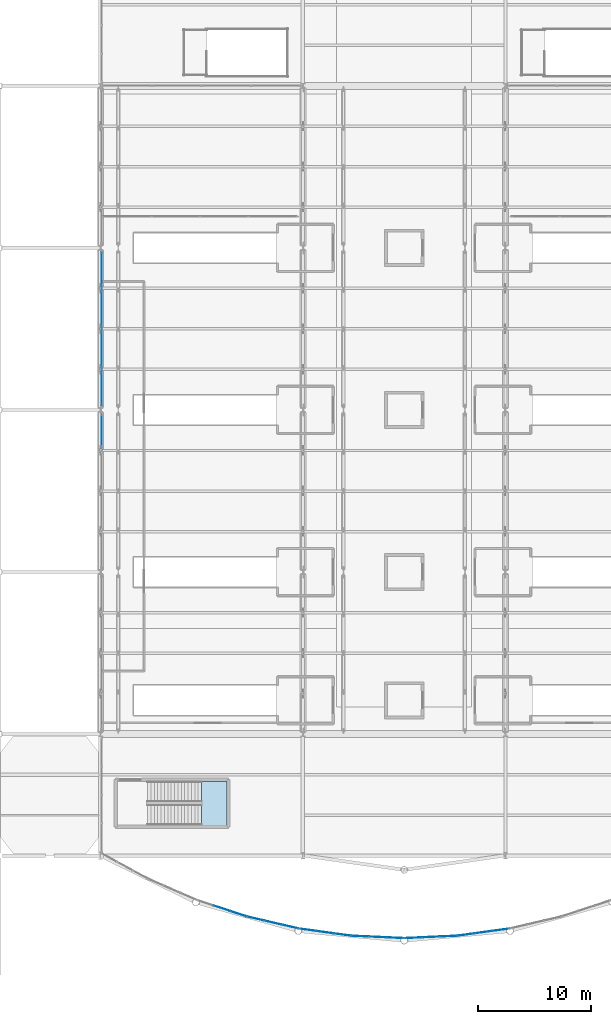
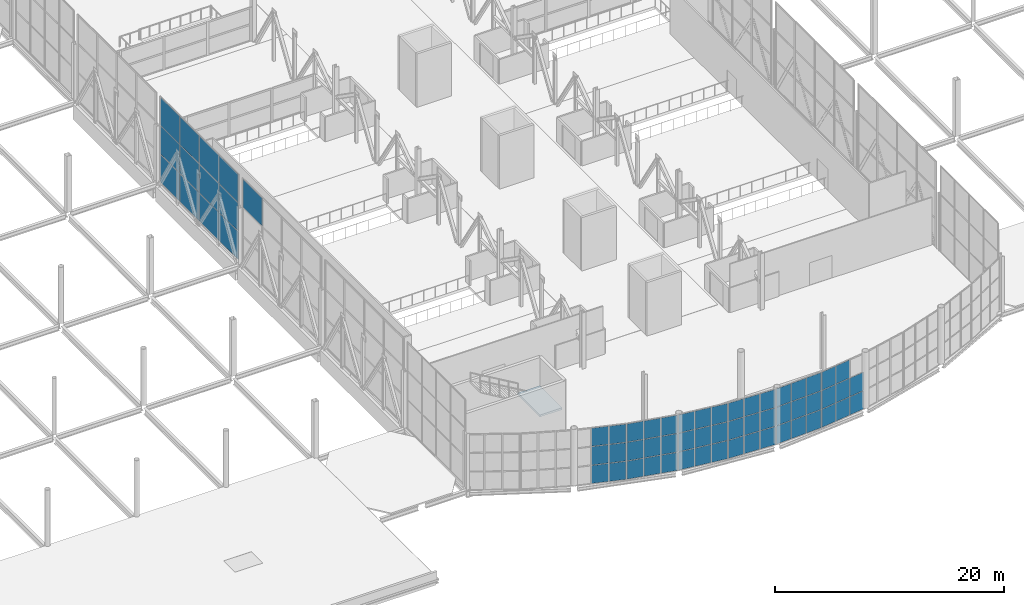
# One storey, part 149 of 191: 63 plates, 1 slab, 9 elements without a shape of their own.
"""IFC4 building model written with IfcOpenShell, lengths in metres."""

from ifc_helpers import new_model, si_unit, direction, frame, origin, origin_2d, place, context, subcontext, project, spatial, polyline, rectangle, outline, extrude, material, layer, layer_set, type_object, element, aggregate, save


model = new_model("IFC4")

# Units and contexts
model_context = context("Model", 3, precision=1e-05, world=origin(), true_north=direction((0.0, 1.0)))
body_context = subcontext(model_context, "Body", "Model", "MODEL_VIEW")
ifc_project = project(units=[si_unit("LENGTHUNIT", "METRE"), si_unit("AREAUNIT", "SQUARE_METRE"), si_unit("VOLUMEUNIT", "CUBIC_METRE"), si_unit("PLANEANGLEUNIT", "RADIAN"), si_unit("MASSUNIT", "GRAM", prefix="KILO")], contexts=[model_context])

# Site, building, storey
site_placement = place(None, origin())
site = spatial("IfcSite", under=ifc_project, at=site_placement, CompositionType="ELEMENT")
building_placement = place(site_placement, origin())
building = spatial("IfcBuilding", under=site, at=building_placement, Name="Tamarisk Ironworks Central Station", CompositionType="ELEMENT")
storey_placement = place(building_placement, frame((0.0, 0.0, 6.60009765625)))
storey = spatial("IfcBuildingStorey", under=building, at=storey_placement, Name="L01", CompositionType="ELEMENT", Elevation=6.60009765625)

# Curtain wall, plates
ifc_material_1 = material(Name="Anodized aluminium alloy 6063-T6", Category="aluminium")
ifc_layer_1 = layer(ifc_material_1, 0.179931640625)
ifc_layer_set_1 = layer_set([ifc_layer_1], Name="Anodized aluminium alloy 6063-T6")
curtain_wall_type_1 = type_object("IfcCurtainWallType", Name="CW-02", PredefinedType="USERDEFINED", material=ifc_layer_set_1)
curtain_wall_1_placement = place(storey_placement, origin())
curtain_wall_1 = element("IfcCurtainWall", 1, at=curtain_wall_1_placement, inside=storey, type_object=curtain_wall_type_1, Name="SN rounded entrance hall L01 curtain wall bay 03", ObjectType="GLAZED CURTAIN WALL", PredefinedType="USERDEFINED")
ifc_material_2 = material(Name="Laminated solar-control low-E glass", Category="glass")
ifc_layer_2 = layer(ifc_material_2, 0.028076171875)
ifc_layer_set_2 = layer_set([ifc_layer_2], Name="Laminated solar-control low-E glass")
plate_type = type_object("IfcPlateType", Name="PL-CWP28", PredefinedType="CURTAIN_PANEL", material=ifc_layer_set_2)
plate_1_placement = place(storey_placement, frame((64.8046875, 6.115234375, -0.3310546875), z_axis=(0.0, 0.0, 1.0), x_axis=(0.949720671692, -0.313098460171, 0.0)))
plate_1 = element("IfcPlate", 2, at=plate_1_placement, type_object=plate_type, Name="CW02 panel 2.1", PredefinedType="CURTAIN_PANEL", context=body_context, shape_type="SweptSolid", body=[
    extrude(rectangle(XDim=1.52197265625, YDim=0.028076171875, at=origin_2d()), origin(), (0.0, 0.0, 1.0), 1.923583984375),
])
plate_2_placement = place(storey_placement, frame((64.8046875, 6.115234375, 1.640625), z_axis=(0.0, 0.0, 1.0), x_axis=(0.949720671692, -0.313098460171, 0.0)))
plate_2 = element("IfcPlate", 3, at=plate_2_placement, type_object=plate_type, Name="CW02 panel 2.2", PredefinedType="CURTAIN_PANEL", context=body_context, shape_type="SweptSolid", body=[
    extrude(rectangle(XDim=1.52197265625, YDim=0.028076171875, at=origin_2d()), origin(), (0.0, 0.0, 1.0), 1.95361328125),
])
plate_3_placement = place(storey_placement, frame((64.8046875, 6.115234375, 3.64208984375), z_axis=(0.0, 0.0, 1.0), x_axis=(0.949720671692, -0.313098460171, 0.0)))
plate_3 = element("IfcPlate", 4, at=plate_3_placement, type_object=plate_type, Name="CW02 panel 2.3", PredefinedType="CURTAIN_PANEL", context=body_context, shape_type="SweptSolid", body=[
    extrude(rectangle(XDim=1.52197265625, YDim=0.028076171875, at=origin_2d()), origin(), (0.0, 0.0, 1.0), 1.923583984375),
])
plate_4_placement = place(storey_placement, frame((66.28125, 5.62841796875, -0.3310546875), z_axis=(0.0, 0.0, 1.0), x_axis=(0.949720671692, -0.313098460171, 0.0)))
plate_4 = element("IfcPlate", 5, at=plate_4_placement, type_object=plate_type, Name="CW02 panel 3.1", PredefinedType="CURTAIN_PANEL", context=body_context, shape_type="SweptSolid", body=[
    extrude(rectangle(XDim=1.491943359375, YDim=0.028076171875, at=origin_2d()), origin(), (0.0, 0.0, 1.0), 1.923583984375),
])
plate_5_placement = place(storey_placement, frame((66.28125, 5.62841796875, 1.640625), z_axis=(0.0, 0.0, 1.0), x_axis=(0.949720671692, -0.313098460171, 0.0)))
plate_5 = element("IfcPlate", 6, at=plate_5_placement, type_object=plate_type, Name="CW02 panel 3.2", PredefinedType="CURTAIN_PANEL", context=body_context, shape_type="SweptSolid", body=[
    extrude(rectangle(XDim=1.491943359375, YDim=0.028076171875, at=origin_2d()), origin(), (0.0, 0.0, 1.0), 1.95361328125),
])
plate_6_placement = place(storey_placement, frame((66.28125, 5.62841796875, 3.64208984375), z_axis=(0.0, 0.0, 1.0), x_axis=(0.949720671692, -0.313098460171, 0.0)))
plate_6 = element("IfcPlate", 7, at=plate_6_placement, type_object=plate_type, Name="CW02 panel 3.3", PredefinedType="CURTAIN_PANEL", context=body_context, shape_type="SweptSolid", body=[
    extrude(rectangle(XDim=1.491943359375, YDim=0.028076171875, at=origin_2d()), origin(), (0.0, 0.0, 1.0), 1.923583984375),
])
aggregate(curtain_wall_1, [plate_1, plate_2, plate_3, plate_4, plate_5, plate_6])

curtain_wall_2_placement = place(storey_placement, origin())
curtain_wall_2 = element("IfcCurtainWall", 8, at=curtain_wall_2_placement, inside=storey, type_object=curtain_wall_type_1, Name="SN rounded entrance hall L01 curtain wall bay 04", ObjectType="GLAZED CURTAIN WALL", PredefinedType="USERDEFINED")
plate_7_placement = place(storey_placement, frame((67.8203125, 5.197509765625, -0.3310546875), z_axis=(0.0, 0.0, 1.0), x_axis=(0.974239240545, -0.225516966506, 0.0)))
plate_7 = element("IfcPlate", 9, at=plate_7_placement, type_object=plate_type, Name="CW02 panel 1.1", PredefinedType="CURTAIN_PANEL", context=body_context, shape_type="SweptSolid", body=[
    extrude(rectangle(XDim=1.491943359375, YDim=0.028076171875, at=origin_2d()), origin(), (0.0, 0.0, 1.0), 1.923583984375),
])
plate_8_placement = place(storey_placement, frame((67.8203125, 5.197509765625, 1.640625), z_axis=(0.0, 0.0, 1.0), x_axis=(0.974239240545, -0.225516966506, 0.0)))
plate_8 = element("IfcPlate", 10, at=plate_8_placement, type_object=plate_type, Name="CW02 panel 1.2", PredefinedType="CURTAIN_PANEL", context=body_context, shape_type="SweptSolid", body=[
    extrude(rectangle(XDim=1.491943359375, YDim=0.028076171875, at=origin_2d()), origin(), (0.0, 0.0, 1.0), 1.95361328125),
])
plate_9_placement = place(storey_placement, frame((67.8203125, 5.197509765625, 3.64208984375), z_axis=(0.0, 0.0, 1.0), x_axis=(0.974239240545, -0.225516966506, 0.0)))
plate_9 = element("IfcPlate", 11, at=plate_9_placement, type_object=plate_type, Name="CW02 panel 1.3", PredefinedType="CURTAIN_PANEL", context=body_context, shape_type="SweptSolid", body=[
    extrude(rectangle(XDim=1.491943359375, YDim=0.028076171875, at=origin_2d()), origin(), (0.0, 0.0, 1.0), 1.923583984375),
])
plate_10_placement = place(storey_placement, frame((69.335205078125, 4.846923828125, -0.3310546875), z_axis=(0.0, 0.0, 1.0), x_axis=(0.974239240545, -0.225516966506, 0.0)))
plate_10 = element("IfcPlate", 12, at=plate_10_placement, type_object=plate_type, Name="CW02 panel 2.1", PredefinedType="CURTAIN_PANEL", context=body_context, shape_type="SweptSolid", body=[
    extrude(rectangle(XDim=1.52197265625, YDim=0.028076171875, at=origin_2d()), origin(), (0.0, 0.0, 1.0), 1.923583984375),
])
plate_11_placement = place(storey_placement, frame((69.335205078125, 4.846923828125, 1.640625), z_axis=(0.0, 0.0, 1.0), x_axis=(0.974239240545, -0.225516966506, 0.0)))
plate_11 = element("IfcPlate", 13, at=plate_11_placement, type_object=plate_type, Name="CW02 panel 2.2", PredefinedType="CURTAIN_PANEL", context=body_context, shape_type="SweptSolid", body=[
    extrude(rectangle(XDim=1.52197265625, YDim=0.028076171875, at=origin_2d()), origin(), (0.0, 0.0, 1.0), 1.95361328125),
])
plate_12_placement = place(storey_placement, frame((69.335205078125, 4.846923828125, 3.64208984375), z_axis=(0.0, 0.0, 1.0), x_axis=(0.974239240545, -0.225516966506, 0.0)))
plate_12 = element("IfcPlate", 14, at=plate_12_placement, type_object=plate_type, Name="CW02 panel 2.3", PredefinedType="CURTAIN_PANEL", context=body_context, shape_type="SweptSolid", body=[
    extrude(rectangle(XDim=1.52197265625, YDim=0.028076171875, at=origin_2d()), origin(), (0.0, 0.0, 1.0), 1.923583984375),
])
plate_13_placement = place(storey_placement, frame((70.85009765625, 4.496337890625, -0.3310546875), z_axis=(0.0, 0.0, 1.0), x_axis=(0.974239240545, -0.225516966506, 0.0)))
plate_13 = element("IfcPlate", 15, at=plate_13_placement, type_object=plate_type, Name="CW02 panel 3.1", PredefinedType="CURTAIN_PANEL", context=body_context, shape_type="SweptSolid", body=[
    extrude(rectangle(XDim=1.491943359375, YDim=0.028076171875, at=origin_2d()), origin(), (0.0, 0.0, 1.0), 1.923583984375),
])
plate_14_placement = place(storey_placement, frame((70.85009765625, 4.496337890625, 1.640625), z_axis=(0.0, 0.0, 1.0), x_axis=(0.974239240545, -0.225516966506, 0.0)))
plate_14 = element("IfcPlate", 16, at=plate_14_placement, type_object=plate_type, Name="CW02 panel 3.2", PredefinedType="CURTAIN_PANEL", context=body_context, shape_type="SweptSolid", body=[
    extrude(rectangle(XDim=1.491943359375, YDim=0.028076171875, at=origin_2d()), origin(), (0.0, 0.0, 1.0), 1.95361328125),
])
plate_15_placement = place(storey_placement, frame((70.85009765625, 4.496337890625, 3.64208984375), z_axis=(0.0, 0.0, 1.0), x_axis=(0.974239240545, -0.225516966506, 0.0)))
plate_15 = element("IfcPlate", 17, at=plate_15_placement, type_object=plate_type, Name="CW02 panel 3.3", PredefinedType="CURTAIN_PANEL", context=body_context, shape_type="SweptSolid", body=[
    extrude(rectangle(XDim=1.491943359375, YDim=0.028076171875, at=origin_2d()), origin(), (0.0, 0.0, 1.0), 1.923583984375),
])
aggregate(curtain_wall_2, [plate_7, plate_8, plate_9, plate_10, plate_11, plate_12, plate_13, plate_14, plate_15])

curtain_wall_3_placement = place(storey_placement, origin())
curtain_wall_3 = element("IfcCurtainWall", 18, at=curtain_wall_3_placement, inside=storey, type_object=curtain_wall_type_1, Name="SN rounded entrance hall L01 curtain wall bay 05", ObjectType="GLAZED CURTAIN WALL", PredefinedType="USERDEFINED")
plate_16_placement = place(storey_placement, frame((72.421875, 4.20703125, -0.3310546875), z_axis=(0.0, 0.0, 1.0), x_axis=(0.990703108403, -0.136041725218, 0.0)))
plate_16 = element("IfcPlate", 19, at=plate_16_placement, type_object=plate_type, Name="CW02 panel 1.1", PredefinedType="CURTAIN_PANEL", context=body_context, shape_type="SweptSolid", body=[
    extrude(rectangle(XDim=1.491943359375, YDim=0.028076171875, at=origin_2d()), origin(), (0.0, 0.0, 1.0), 1.923583984375),
])
plate_17_placement = place(storey_placement, frame((72.421875, 4.20703125, 1.640625), z_axis=(0.0, 0.0, 1.0), x_axis=(0.990703108403, -0.136041725218, 0.0)))
plate_17 = element("IfcPlate", 20, at=plate_17_placement, type_object=plate_type, Name="CW02 panel 1.2", PredefinedType="CURTAIN_PANEL", context=body_context, shape_type="SweptSolid", body=[
    extrude(rectangle(XDim=1.491943359375, YDim=0.028076171875, at=origin_2d()), origin(), (0.0, 0.0, 1.0), 1.95361328125),
])
plate_18_placement = place(storey_placement, frame((72.421875, 4.20703125, 3.64208984375), z_axis=(0.0, 0.0, 1.0), x_axis=(0.990703108403, -0.136041725218, 0.0)))
plate_18 = element("IfcPlate", 21, at=plate_18_placement, type_object=plate_type, Name="CW02 panel 1.3", PredefinedType="CURTAIN_PANEL", context=body_context, shape_type="SweptSolid", body=[
    extrude(rectangle(XDim=1.491943359375, YDim=0.028076171875, at=origin_2d()), origin(), (0.0, 0.0, 1.0), 1.923583984375),
])
plate_19_placement = place(storey_placement, frame((73.96240234375, 3.99560546875, -0.3310546875), z_axis=(0.0, 0.0, 1.0), x_axis=(0.990703108403, -0.136041725218, 0.0)))
plate_19 = element("IfcPlate", 22, at=plate_19_placement, type_object=plate_type, Name="CW02 panel 2.1", PredefinedType="CURTAIN_PANEL", context=body_context, shape_type="SweptSolid", body=[
    extrude(rectangle(XDim=1.52197265625, YDim=0.028076171875, at=origin_2d()), origin(), (0.0, 0.0, 1.0), 1.923583984375),
])
plate_20_placement = place(storey_placement, frame((73.96240234375, 3.99560546875, 1.640625), z_axis=(0.0, 0.0, 1.0), x_axis=(0.990703108403, -0.136041725218, 0.0)))
plate_20 = element("IfcPlate", 23, at=plate_20_placement, type_object=plate_type, Name="CW02 panel 2.2", PredefinedType="CURTAIN_PANEL", context=body_context, shape_type="SweptSolid", body=[
    extrude(rectangle(XDim=1.52197265625, YDim=0.028076171875, at=origin_2d()), origin(), (0.0, 0.0, 1.0), 1.95361328125),
])
plate_21_placement = place(storey_placement, frame((73.96240234375, 3.99560546875, 3.64208984375), z_axis=(0.0, 0.0, 1.0), x_axis=(0.990703108403, -0.136041725218, 0.0)))
plate_21 = element("IfcPlate", 24, at=plate_21_placement, type_object=plate_type, Name="CW02 panel 2.3", PredefinedType="CURTAIN_PANEL", context=body_context, shape_type="SweptSolid", body=[
    extrude(rectangle(XDim=1.52197265625, YDim=0.028076171875, at=origin_2d()), origin(), (0.0, 0.0, 1.0), 1.923583984375),
])
plate_22_placement = place(storey_placement, frame((75.502685546875, 3.783935546875, -0.3310546875), z_axis=(0.0, 0.0, 1.0), x_axis=(0.990703108403, -0.136041725218, 0.0)))
plate_22 = element("IfcPlate", 25, at=plate_22_placement, type_object=plate_type, Name="CW02 panel 3.1", PredefinedType="CURTAIN_PANEL", context=body_context, shape_type="SweptSolid", body=[
    extrude(rectangle(XDim=1.491943359375, YDim=0.028076171875, at=origin_2d()), origin(), (0.0, 0.0, 1.0), 1.923583984375),
])
plate_23_placement = place(storey_placement, frame((75.502685546875, 3.783935546875, 1.640625), z_axis=(0.0, 0.0, 1.0), x_axis=(0.990703108403, -0.136041725218, 0.0)))
plate_23 = element("IfcPlate", 26, at=plate_23_placement, type_object=plate_type, Name="CW02 panel 3.2", PredefinedType="CURTAIN_PANEL", context=body_context, shape_type="SweptSolid", body=[
    extrude(rectangle(XDim=1.491943359375, YDim=0.028076171875, at=origin_2d()), origin(), (0.0, 0.0, 1.0), 1.95361328125),
])
plate_24_placement = place(storey_placement, frame((75.502685546875, 3.783935546875, 3.64208984375), z_axis=(0.0, 0.0, 1.0), x_axis=(0.990703108403, -0.136041725218, 0.0)))
plate_24 = element("IfcPlate", 27, at=plate_24_placement, type_object=plate_type, Name="CW02 panel 3.3", PredefinedType="CURTAIN_PANEL", context=body_context, shape_type="SweptSolid", body=[
    extrude(rectangle(XDim=1.491943359375, YDim=0.028076171875, at=origin_2d()), origin(), (0.0, 0.0, 1.0), 1.923583984375),
])
aggregate(curtain_wall_3, [plate_16, plate_17, plate_18, plate_19, plate_20, plate_21, plate_22, plate_23, plate_24])

curtain_wall_4_placement = place(storey_placement, origin())
curtain_wall_4 = element("IfcCurtainWall", 28, at=curtain_wall_4_placement, inside=storey, type_object=curtain_wall_type_1, Name="SN rounded entrance hall L01 curtain wall bay 06", ObjectType="GLAZED CURTAIN WALL", PredefinedType="USERDEFINED")
plate_25_placement = place(storey_placement, frame((77.09423828125, 3.638916015625, -0.3310546875), z_axis=(0.0, 0.0, 1.0), x_axis=(0.998965210312, -0.045480859558, 0.0)))
plate_25 = element("IfcPlate", 29, at=plate_25_placement, type_object=plate_type, Name="CW02 panel 1.1", PredefinedType="CURTAIN_PANEL", context=body_context, shape_type="SweptSolid", body=[
    extrude(rectangle(XDim=1.491943359375, YDim=0.028076171875, at=origin_2d()), origin(), (0.0, 0.0, 1.0), 1.923583984375),
])
plate_26_placement = place(storey_placement, frame((77.09423828125, 3.638916015625, 1.640625), z_axis=(0.0, 0.0, 1.0), x_axis=(0.998965210312, -0.045480859558, 0.0)))
plate_26 = element("IfcPlate", 30, at=plate_26_placement, type_object=plate_type, Name="CW02 panel 1.2", PredefinedType="CURTAIN_PANEL", context=body_context, shape_type="SweptSolid", body=[
    extrude(rectangle(XDim=1.491943359375, YDim=0.028076171875, at=origin_2d()), origin(), (0.0, 0.0, 1.0), 1.95361328125),
])
plate_27_placement = place(storey_placement, frame((77.09423828125, 3.638916015625, 3.64208984375), z_axis=(0.0, 0.0, 1.0), x_axis=(0.998965210312, -0.045480859558, 0.0)))
plate_27 = element("IfcPlate", 31, at=plate_27_placement, type_object=plate_type, Name="CW02 panel 1.3", PredefinedType="CURTAIN_PANEL", context=body_context, shape_type="SweptSolid", body=[
    extrude(rectangle(XDim=1.491943359375, YDim=0.028076171875, at=origin_2d()), origin(), (0.0, 0.0, 1.0), 1.923583984375),
])
plate_28_placement = place(storey_placement, frame((78.647705078125, 3.568115234375, -0.3310546875), z_axis=(0.0, 0.0, 1.0), x_axis=(0.998965210312, -0.045480859558, 0.0)))
plate_28 = element("IfcPlate", 32, at=plate_28_placement, type_object=plate_type, Name="CW02 panel 2.1", PredefinedType="CURTAIN_PANEL", context=body_context, shape_type="SweptSolid", body=[
    extrude(rectangle(XDim=1.52197265625, YDim=0.028076171875, at=origin_2d()), origin(), (0.0, 0.0, 1.0), 1.923583984375),
])
plate_29_placement = place(storey_placement, frame((78.647705078125, 3.568115234375, 1.640625), z_axis=(0.0, 0.0, 1.0), x_axis=(0.998965210312, -0.045480859558, 0.0)))
plate_29 = element("IfcPlate", 33, at=plate_29_placement, type_object=plate_type, Name="CW02 panel 2.2", PredefinedType="CURTAIN_PANEL", context=body_context, shape_type="SweptSolid", body=[
    extrude(rectangle(XDim=1.52197265625, YDim=0.028076171875, at=origin_2d()), origin(), (0.0, 0.0, 1.0), 1.95361328125),
])
plate_30_placement = place(storey_placement, frame((78.647705078125, 3.568115234375, 3.64208984375), z_axis=(0.0, 0.0, 1.0), x_axis=(0.998965210312, -0.045480859558, 0.0)))
plate_30 = element("IfcPlate", 34, at=plate_30_placement, type_object=plate_type, Name="CW02 panel 2.3", PredefinedType="CURTAIN_PANEL", context=body_context, shape_type="SweptSolid", body=[
    extrude(rectangle(XDim=1.52197265625, YDim=0.028076171875, at=origin_2d()), origin(), (0.0, 0.0, 1.0), 1.923583984375),
])
plate_31_placement = place(storey_placement, frame((80.200927734375, 3.497314453125, -0.3310546875), z_axis=(0.0, 0.0, 1.0), x_axis=(0.998965210312, -0.045480859558, 0.0)))
plate_31 = element("IfcPlate", 35, at=plate_31_placement, type_object=plate_type, Name="CW02 panel 3.1", PredefinedType="CURTAIN_PANEL", context=body_context, shape_type="SweptSolid", body=[
    extrude(rectangle(XDim=1.491943359375, YDim=0.028076171875, at=origin_2d()), origin(), (0.0, 0.0, 1.0), 1.923583984375),
])
plate_32_placement = place(storey_placement, frame((80.200927734375, 3.497314453125, 1.640625), z_axis=(0.0, 0.0, 1.0), x_axis=(0.998965210312, -0.045480859558, 0.0)))
plate_32 = element("IfcPlate", 36, at=plate_32_placement, type_object=plate_type, Name="CW02 panel 3.2", PredefinedType="CURTAIN_PANEL", context=body_context, shape_type="SweptSolid", body=[
    extrude(rectangle(XDim=1.491943359375, YDim=0.028076171875, at=origin_2d()), origin(), (0.0, 0.0, 1.0), 1.95361328125),
])
plate_33_placement = place(storey_placement, frame((80.200927734375, 3.497314453125, 3.64208984375), z_axis=(0.0, 0.0, 1.0), x_axis=(0.998965210312, -0.045480859558, 0.0)))
plate_33 = element("IfcPlate", 37, at=plate_33_placement, type_object=plate_type, Name="CW02 panel 3.3", PredefinedType="CURTAIN_PANEL", context=body_context, shape_type="SweptSolid", body=[
    extrude(rectangle(XDim=1.491943359375, YDim=0.028076171875, at=origin_2d()), origin(), (0.0, 0.0, 1.0), 1.923583984375),
])
aggregate(curtain_wall_4, [plate_25, plate_26, plate_27, plate_28, plate_29, plate_30, plate_31, plate_32, plate_33])

curtain_wall_5_placement = place(storey_placement, origin())
curtain_wall_5 = element("IfcCurtainWall", 38, at=curtain_wall_5_placement, inside=storey, type_object=curtain_wall_type_1, Name="SN rounded entrance hall L01 curtain wall bay 07", ObjectType="GLAZED CURTAIN WALL", PredefinedType="USERDEFINED")
plate_34_placement = place(storey_placement, frame((81.799072265625, 3.497314453125, -0.3310546875), z_axis=(0.0, 0.0, 1.0), x_axis=(0.998965210312, 0.045480859558, 0.0)))
plate_34 = element("IfcPlate", 39, at=plate_34_placement, type_object=plate_type, Name="CW02 panel 1.1", PredefinedType="CURTAIN_PANEL", context=body_context, shape_type="SweptSolid", body=[
    extrude(rectangle(XDim=1.491943359375, YDim=0.028076171875, at=origin_2d()), origin(), (0.0, 0.0, 1.0), 1.923583984375),
])
plate_35_placement = place(storey_placement, frame((81.799072265625, 3.497314453125, 1.640625), z_axis=(0.0, 0.0, 1.0), x_axis=(0.998965210312, 0.045480859558, 0.0)))
plate_35 = element("IfcPlate", 40, at=plate_35_placement, type_object=plate_type, Name="CW02 panel 1.2", PredefinedType="CURTAIN_PANEL", context=body_context, shape_type="SweptSolid", body=[
    extrude(rectangle(XDim=1.491943359375, YDim=0.028076171875, at=origin_2d()), origin(), (0.0, 0.0, 1.0), 1.95361328125),
])
plate_36_placement = place(storey_placement, frame((81.799072265625, 3.497314453125, 3.64208984375), z_axis=(0.0, 0.0, 1.0), x_axis=(0.998965210312, 0.045480859558, 0.0)))
plate_36 = element("IfcPlate", 41, at=plate_36_placement, type_object=plate_type, Name="CW02 panel 1.3", PredefinedType="CURTAIN_PANEL", context=body_context, shape_type="SweptSolid", body=[
    extrude(rectangle(XDim=1.491943359375, YDim=0.028076171875, at=origin_2d()), origin(), (0.0, 0.0, 1.0), 1.923583984375),
])
plate_37_placement = place(storey_placement, frame((83.352294921875, 3.568115234375, -0.3310546875), z_axis=(0.0, 0.0, 1.0), x_axis=(0.998965210312, 0.045480859558, 0.0)))
plate_37 = element("IfcPlate", 42, at=plate_37_placement, type_object=plate_type, Name="CW02 panel 2.1", PredefinedType="CURTAIN_PANEL", context=body_context, shape_type="SweptSolid", body=[
    extrude(rectangle(XDim=1.52197265625, YDim=0.028076171875, at=origin_2d()), origin(), (0.0, 0.0, 1.0), 1.923583984375),
])
plate_38_placement = place(storey_placement, frame((83.352294921875, 3.568115234375, 1.640625), z_axis=(0.0, 0.0, 1.0), x_axis=(0.998965210312, 0.045480859558, 0.0)))
plate_38 = element("IfcPlate", 43, at=plate_38_placement, type_object=plate_type, Name="CW02 panel 2.2", PredefinedType="CURTAIN_PANEL", context=body_context, shape_type="SweptSolid", body=[
    extrude(rectangle(XDim=1.52197265625, YDim=0.028076171875, at=origin_2d()), origin(), (0.0, 0.0, 1.0), 1.95361328125),
])
plate_39_placement = place(storey_placement, frame((83.352294921875, 3.568115234375, 3.64208984375), z_axis=(0.0, 0.0, 1.0), x_axis=(0.998965210312, 0.045480859558, 0.0)))
plate_39 = element("IfcPlate", 44, at=plate_39_placement, type_object=plate_type, Name="CW02 panel 2.3", PredefinedType="CURTAIN_PANEL", context=body_context, shape_type="SweptSolid", body=[
    extrude(rectangle(XDim=1.52197265625, YDim=0.028076171875, at=origin_2d()), origin(), (0.0, 0.0, 1.0), 1.923583984375),
])
plate_40_placement = place(storey_placement, frame((84.90576171875, 3.638916015625, -0.3310546875), z_axis=(0.0, 0.0, 1.0), x_axis=(0.998965210312, 0.045480859558, 0.0)))
plate_40 = element("IfcPlate", 45, at=plate_40_placement, type_object=plate_type, Name="CW02 panel 3.1", PredefinedType="CURTAIN_PANEL", context=body_context, shape_type="SweptSolid", body=[
    extrude(rectangle(XDim=1.491943359375, YDim=0.028076171875, at=origin_2d()), origin(), (0.0, 0.0, 1.0), 1.923583984375),
])
plate_41_placement = place(storey_placement, frame((84.90576171875, 3.638916015625, 1.640625), z_axis=(0.0, 0.0, 1.0), x_axis=(0.998965210312, 0.045480859558, 0.0)))
plate_41 = element("IfcPlate", 46, at=plate_41_placement, type_object=plate_type, Name="CW02 panel 3.2", PredefinedType="CURTAIN_PANEL", context=body_context, shape_type="SweptSolid", body=[
    extrude(rectangle(XDim=1.491943359375, YDim=0.028076171875, at=origin_2d()), origin(), (0.0, 0.0, 1.0), 1.95361328125),
])
plate_42_placement = place(storey_placement, frame((84.90576171875, 3.638916015625, 3.64208984375), z_axis=(0.0, 0.0, 1.0), x_axis=(0.998965210312, 0.045480859558, 0.0)))
plate_42 = element("IfcPlate", 47, at=plate_42_placement, type_object=plate_type, Name="CW02 panel 3.3", PredefinedType="CURTAIN_PANEL", context=body_context, shape_type="SweptSolid", body=[
    extrude(rectangle(XDim=1.491943359375, YDim=0.028076171875, at=origin_2d()), origin(), (0.0, 0.0, 1.0), 1.923583984375),
])
aggregate(curtain_wall_5, [plate_34, plate_35, plate_36, plate_37, plate_38, plate_39, plate_40, plate_41, plate_42])

curtain_wall_6_placement = place(storey_placement, origin())
curtain_wall_6 = element("IfcCurtainWall", 48, at=curtain_wall_6_placement, inside=storey, type_object=curtain_wall_type_1, Name="SN rounded entrance hall L01 curtain wall bay 08", ObjectType="GLAZED CURTAIN WALL", PredefinedType="USERDEFINED")
plate_43_placement = place(storey_placement, frame((86.497314453125, 3.783935546875, -0.3310546875), z_axis=(0.0, 0.0, 1.0), x_axis=(0.990703108403, 0.136041725218, 0.0)))
plate_43 = element("IfcPlate", 49, at=plate_43_placement, type_object=plate_type, Name="CW02 panel 1.1", PredefinedType="CURTAIN_PANEL", context=body_context, shape_type="SweptSolid", body=[
    extrude(rectangle(XDim=1.491943359375, YDim=0.028076171875, at=origin_2d()), origin(), (0.0, 0.0, 1.0), 1.923583984375),
])
plate_44_placement = place(storey_placement, frame((86.497314453125, 3.783935546875, 1.640625), z_axis=(0.0, 0.0, 1.0), x_axis=(0.990703108403, 0.136041725218, 0.0)))
plate_44 = element("IfcPlate", 50, at=plate_44_placement, type_object=plate_type, Name="CW02 panel 1.2", PredefinedType="CURTAIN_PANEL", context=body_context, shape_type="SweptSolid", body=[
    extrude(rectangle(XDim=1.491943359375, YDim=0.028076171875, at=origin_2d()), origin(), (0.0, 0.0, 1.0), 1.95361328125),
])
plate_45_placement = place(storey_placement, frame((86.497314453125, 3.783935546875, 3.64208984375), z_axis=(0.0, 0.0, 1.0), x_axis=(0.990703108403, 0.136041725218, 0.0)))
plate_45 = element("IfcPlate", 51, at=plate_45_placement, type_object=plate_type, Name="CW02 panel 1.3", PredefinedType="CURTAIN_PANEL", context=body_context, shape_type="SweptSolid", body=[
    extrude(rectangle(XDim=1.491943359375, YDim=0.028076171875, at=origin_2d()), origin(), (0.0, 0.0, 1.0), 1.923583984375),
])
plate_46_placement = place(storey_placement, frame((88.03759765625, 3.99560546875, -0.3310546875), z_axis=(0.0, 0.0, 1.0), x_axis=(0.990703108403, 0.136041725218, 0.0)))
plate_46 = element("IfcPlate", 52, at=plate_46_placement, type_object=plate_type, Name="CW02 panel 2.1", PredefinedType="CURTAIN_PANEL", context=body_context, shape_type="SweptSolid", body=[
    extrude(rectangle(XDim=1.52197265625, YDim=0.028076171875, at=origin_2d()), origin(), (0.0, 0.0, 1.0), 1.923583984375),
])
plate_47_placement = place(storey_placement, frame((88.03759765625, 3.99560546875, 1.640625), z_axis=(0.0, 0.0, 1.0), x_axis=(0.990703108403, 0.136041725218, 0.0)))
plate_47 = element("IfcPlate", 53, at=plate_47_placement, type_object=plate_type, Name="CW02 panel 2.2", PredefinedType="CURTAIN_PANEL", context=body_context, shape_type="SweptSolid", body=[
    extrude(rectangle(XDim=1.52197265625, YDim=0.028076171875, at=origin_2d()), origin(), (0.0, 0.0, 1.0), 1.95361328125),
])
plate_48_placement = place(storey_placement, frame((88.03759765625, 3.99560546875, 3.64208984375), z_axis=(0.0, 0.0, 1.0), x_axis=(0.990703108403, 0.136041725218, 0.0)))
plate_48 = element("IfcPlate", 54, at=plate_48_placement, type_object=plate_type, Name="CW02 panel 2.3", PredefinedType="CURTAIN_PANEL", context=body_context, shape_type="SweptSolid", body=[
    extrude(rectangle(XDim=1.52197265625, YDim=0.028076171875, at=origin_2d()), origin(), (0.0, 0.0, 1.0), 1.923583984375),
])
plate_49_placement = place(storey_placement, frame((89.578125, 4.20703125, -0.3310546875), z_axis=(0.0, 0.0, 1.0), x_axis=(0.990703108403, 0.136041725218, 0.0)))
plate_49 = element("IfcPlate", 55, at=plate_49_placement, type_object=plate_type, Name="CW02 panel 3.1", PredefinedType="CURTAIN_PANEL", context=body_context, shape_type="SweptSolid", body=[
    extrude(rectangle(XDim=1.491943359375, YDim=0.028076171875, at=origin_2d()), origin(), (0.0, 0.0, 1.0), 1.923583984375),
])
plate_50_placement = place(storey_placement, frame((89.578125, 4.20703125, 1.640625), z_axis=(0.0, 0.0, 1.0), x_axis=(0.990703108403, 0.136041725218, 0.0)))
plate_50 = element("IfcPlate", 56, at=plate_50_placement, type_object=plate_type, Name="CW02 panel 3.2", PredefinedType="CURTAIN_PANEL", context=body_context, shape_type="SweptSolid", body=[
    extrude(rectangle(XDim=1.491943359375, YDim=0.028076171875, at=origin_2d()), origin(), (0.0, 0.0, 1.0), 1.95361328125),
])
aggregate(curtain_wall_6, [plate_43, plate_44, plate_45, plate_46, plate_47, plate_48, plate_49, plate_50])

# Curtain wall, plate
ifc_layer_3 = layer(ifc_material_1, 0.179931640625)
ifc_layer_set_3 = layer_set([ifc_layer_3], Name="Anodized aluminium alloy 6063-T6")
curtain_wall_type_2 = type_object("IfcCurtainWallType", Name="CW-06", PredefinedType="USERDEFINED", material=ifc_layer_set_3)
curtain_wall_7_placement = place(storey_placement, origin())
curtain_wall_7 = element("IfcCurtainWall", 57, at=curtain_wall_7_placement, inside=storey, type_object=curtain_wall_type_2, Name="Concourse W track-overlook curtain wall 03", ObjectType="GLAZED CURTAIN WALL", PredefinedType="USERDEFINED")
plate_51_placement = place(storey_placement, frame((54.1201171875, 48.31884765625, 6.17822265625), z_axis=(0.0, 0.0, 1.0), x_axis=(0.0, 1.0, 0.0)))
plate_51 = element("IfcPlate", 58, at=plate_51_placement, type_object=plate_type, Name="CW06 panel 4.3", PredefinedType="CURTAIN_PANEL", context=body_context, shape_type="SweptSolid", body=[
    extrude(rectangle(XDim=3.324462890625, YDim=0.028076171875, at=origin_2d()), origin(), (0.0, 0.0, 1.0), 2.972900390625),
])
aggregate(curtain_wall_7, [plate_51])

# Curtain wall, plates
curtain_wall_8_placement = place(storey_placement, origin())
curtain_wall_8 = element("IfcCurtainWall", 59, at=curtain_wall_8_placement, inside=storey, type_object=curtain_wall_type_2, Name="Concourse W track-overlook curtain wall 04", ObjectType="GLAZED CURTAIN WALL", PredefinedType="USERDEFINED")
plate_52_placement = place(storey_placement, frame((54.1201171875, 52.481201171875, 0.06884765625), z_axis=(0.0, 0.0, 1.0), x_axis=(0.0, 1.0, 0.0)))
plate_52 = element("IfcPlate", 60, at=plate_52_placement, type_object=plate_type, Name="CW06 panel 1.1", PredefinedType="CURTAIN_PANEL", context=body_context, shape_type="SweptSolid", body=[
    extrude(rectangle(XDim=3.324462890625, YDim=0.028076171875, at=origin_2d()), origin(), (0.0, 0.0, 1.0), 2.972900390625),
])
plate_53_placement = place(storey_placement, frame((54.1201171875, 52.481201171875, 3.1044921875), z_axis=(0.0, 0.0, 1.0), x_axis=(0.0, 1.0, 0.0)))
plate_53 = element("IfcPlate", 61, at=plate_53_placement, type_object=plate_type, Name="CW06 panel 1.2", PredefinedType="CURTAIN_PANEL", context=body_context, shape_type="SweptSolid", body=[
    extrude(rectangle(XDim=3.324462890625, YDim=0.028076171875, at=origin_2d()), origin(), (0.0, 0.0, 1.0), 3.010498046875),
])
plate_54_placement = place(storey_placement, frame((54.1201171875, 52.481201171875, 6.17822265625), z_axis=(0.0, 0.0, 1.0), x_axis=(0.0, 1.0, 0.0)))
plate_54 = element("IfcPlate", 62, at=plate_54_placement, type_object=plate_type, Name="CW06 panel 1.3", PredefinedType="CURTAIN_PANEL", context=body_context, shape_type="SweptSolid", body=[
    extrude(rectangle(XDim=3.324462890625, YDim=0.028076171875, at=origin_2d()), origin(), (0.0, 0.0, 1.0), 2.972900390625),
])
plate_55_placement = place(storey_placement, frame((54.1201171875, 55.887451171875, 0.06884765625), z_axis=(0.0, 0.0, 1.0), x_axis=(0.0, 1.0, 0.0)))
plate_55 = element("IfcPlate", 63, at=plate_55_placement, type_object=plate_type, Name="CW06 panel 2.1", PredefinedType="CURTAIN_PANEL", context=body_context, shape_type="SweptSolid", body=[
    extrude(rectangle(XDim=3.362060546875, YDim=0.028076171875, at=origin_2d()), origin(), (0.0, 0.0, 1.0), 2.972900390625),
])
plate_56_placement = place(storey_placement, frame((54.1201171875, 55.887451171875, 3.1044921875), z_axis=(0.0, 0.0, 1.0), x_axis=(0.0, 1.0, 0.0)))
plate_56 = element("IfcPlate", 64, at=plate_56_placement, type_object=plate_type, Name="CW06 panel 2.2", PredefinedType="CURTAIN_PANEL", context=body_context, shape_type="SweptSolid", body=[
    extrude(rectangle(XDim=3.362060546875, YDim=0.028076171875, at=origin_2d()), origin(), (0.0, 0.0, 1.0), 3.010498046875),
])
plate_57_placement = place(storey_placement, frame((54.1201171875, 55.887451171875, 6.17822265625), z_axis=(0.0, 0.0, 1.0), x_axis=(0.0, 1.0, 0.0)))
plate_57 = element("IfcPlate", 65, at=plate_57_placement, type_object=plate_type, Name="CW06 panel 2.3", PredefinedType="CURTAIN_PANEL", context=body_context, shape_type="SweptSolid", body=[
    extrude(rectangle(XDim=3.362060546875, YDim=0.028076171875, at=origin_2d()), origin(), (0.0, 0.0, 1.0), 2.972900390625),
])
plate_58_placement = place(storey_placement, frame((54.1201171875, 59.3125, 0.06884765625), z_axis=(0.0, 0.0, 1.0), x_axis=(0.0, 1.0, 0.0)))
plate_58 = element("IfcPlate", 66, at=plate_58_placement, type_object=plate_type, Name="CW06 panel 3.1", PredefinedType="CURTAIN_PANEL", context=body_context, shape_type="SweptSolid", body=[
    extrude(rectangle(XDim=3.362060546875, YDim=0.028076171875, at=origin_2d()), origin(), (0.0, 0.0, 1.0), 2.972900390625),
])
plate_59_placement = place(storey_placement, frame((54.1201171875, 59.3125, 3.1044921875), z_axis=(0.0, 0.0, 1.0), x_axis=(0.0, 1.0, 0.0)))
plate_59 = element("IfcPlate", 67, at=plate_59_placement, type_object=plate_type, Name="CW06 panel 3.2", PredefinedType="CURTAIN_PANEL", context=body_context, shape_type="SweptSolid", body=[
    extrude(rectangle(XDim=3.362060546875, YDim=0.028076171875, at=origin_2d()), origin(), (0.0, 0.0, 1.0), 3.010498046875),
])
plate_60_placement = place(storey_placement, frame((54.1201171875, 59.3125, 6.17822265625), z_axis=(0.0, 0.0, 1.0), x_axis=(0.0, 1.0, 0.0)))
plate_60 = element("IfcPlate", 68, at=plate_60_placement, type_object=plate_type, Name="CW06 panel 3.3", PredefinedType="CURTAIN_PANEL", context=body_context, shape_type="SweptSolid", body=[
    extrude(rectangle(XDim=3.362060546875, YDim=0.028076171875, at=origin_2d()), origin(), (0.0, 0.0, 1.0), 2.972900390625),
])
plate_61_placement = place(storey_placement, frame((54.1201171875, 62.71875, 0.06884765625), z_axis=(0.0, 0.0, 1.0), x_axis=(0.0, 1.0, 0.0)))
plate_61 = element("IfcPlate", 69, at=plate_61_placement, type_object=plate_type, Name="CW06 panel 4.1", PredefinedType="CURTAIN_PANEL", context=body_context, shape_type="SweptSolid", body=[
    extrude(rectangle(XDim=3.324462890625, YDim=0.028076171875, at=origin_2d()), origin(), (0.0, 0.0, 1.0), 2.972900390625),
])
plate_62_placement = place(storey_placement, frame((54.1201171875, 62.71875, 3.1044921875), z_axis=(0.0, 0.0, 1.0), x_axis=(0.0, 1.0, 0.0)))
plate_62 = element("IfcPlate", 70, at=plate_62_placement, type_object=plate_type, Name="CW06 panel 4.2", PredefinedType="CURTAIN_PANEL", context=body_context, shape_type="SweptSolid", body=[
    extrude(rectangle(XDim=3.324462890625, YDim=0.028076171875, at=origin_2d()), origin(), (0.0, 0.0, 1.0), 3.010498046875),
])
plate_63_placement = place(storey_placement, frame((54.1201171875, 62.71875, 6.17822265625), z_axis=(0.0, 0.0, 1.0), x_axis=(0.0, 1.0, 0.0)))
plate_63 = element("IfcPlate", 71, at=plate_63_placement, type_object=plate_type, Name="CW06 panel 4.3", PredefinedType="CURTAIN_PANEL", context=body_context, shape_type="SweptSolid", body=[
    extrude(rectangle(XDim=3.324462890625, YDim=0.028076171875, at=origin_2d()), origin(), (0.0, 0.0, 1.0), 2.972900390625),
])
aggregate(curtain_wall_8, [plate_52, plate_53, plate_54, plate_55, plate_56, plate_57, plate_58, plate_59, plate_60, plate_61, plate_62, plate_63])

# Stair, slab
ifc_material_3 = material(Name="Concrete C35/45", Category="concrete")
stair_type = type_object("IfcStairType", Name="ST-CORE-D", PredefinedType="HALF_TURN_STAIR", material=ifc_material_3)
stair_placement = place(storey_placement, origin())
stair = element("IfcStair", 72, at=stair_placement, inside=storey, type_object=stair_type, Name="L01 South Concourse Exit Stair Core 8", PredefinedType="HALF_TURN_STAIR")
ifc_layer_4 = layer(ifc_material_3, 0.215087890625)
ifc_layer_set_4 = layer_set([ifc_layer_4], Name="Concrete C35/45")
slab_type = type_object("IfcSlabType", Name="SL-LD220", PredefinedType="LANDING", material=ifc_layer_set_4)
slab_placement = place(storey_placement, frame((0.0, 0.0, 2.7998046875)))
slab = element("IfcSlab", 73, at=slab_placement, type_object=slab_type, Name="ST-C8 landing 1", PredefinedType="LANDING", context=body_context, shape_type="SweptSolid", body=[
    extrude(outline(polyline([(63.0, 13.5), (65.25, 13.5), (65.25, 17.39990234375), (63.0, 17.39990234375), (63.0, 13.5)])), origin(), (0.0, 0.0, 1.0), 0.2001953125),
])
aggregate(stair, [slab])

save(model, "model.ifc")
